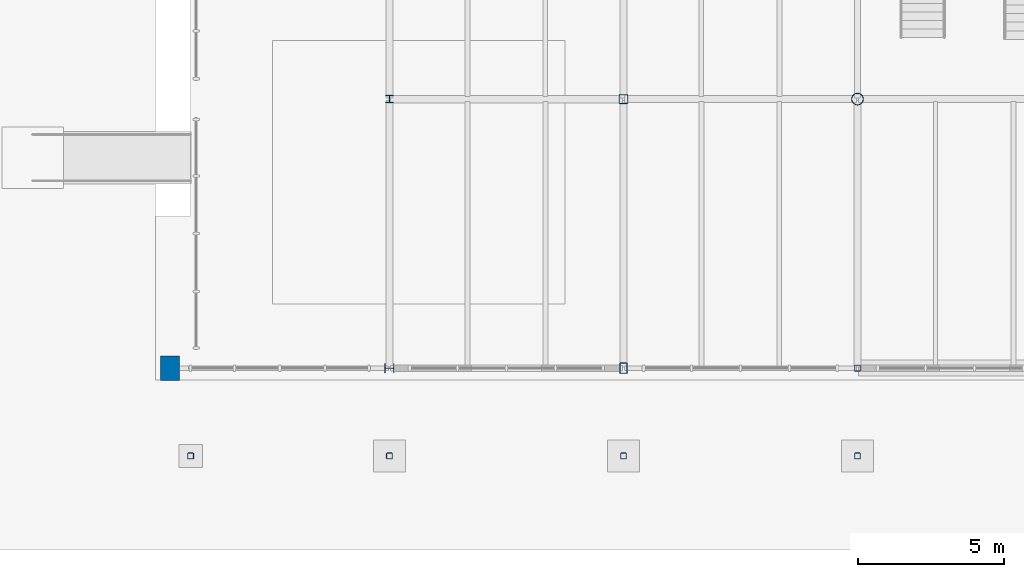
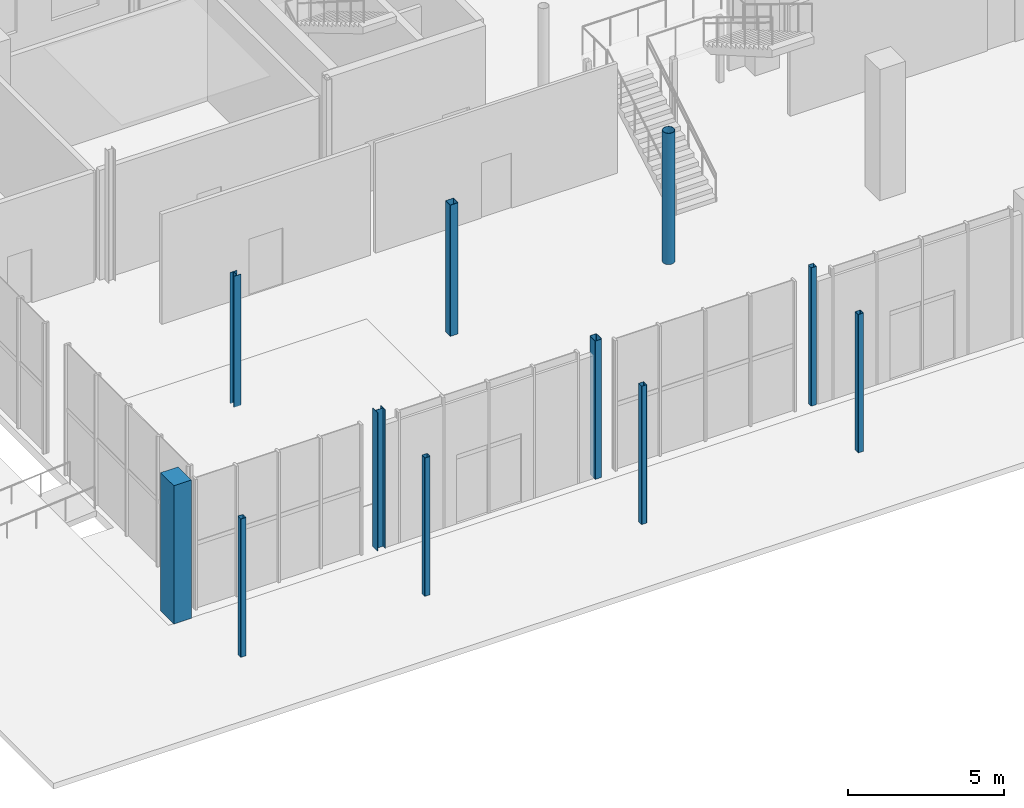
# One storey, part 5 of 87: 11 columns.
"""IFC4 building model written with IfcOpenShell, lengths in metres."""

import ifcopenshell
import ifcopenshell.guid

model = None  # the IFC model being written
_history = None  # IfcOwnerHistory: only IFC2X3 demands one
_inside = {}  # id of a spatial element -> (the spatial element, [elements in it])
_under = {}  # id of a project, library or spatial element -> (it, [spatial elements below it])
_declared = {}  # id of a project -> (the project, [libraries it declares])
_typed = {}  # id of a type object -> (the type object, [elements of that type])
_made_of = {}  # id of a material, layer set ... -> (it, [elements and type objects made of it])


def new_model(schema):
    """Start an empty IFC model of exactly this schema.

    Asked for "IFC4X3", IfcOpenShell would pick the latest addendum, in which some entities
    have other attributes; the version numbers below select the first issue.
    IFC2X3 requires an IfcOwnerHistory on every rooted entity: one is made here for all.
    """
    global model, _history
    if schema == "IFC4X3":
        model = ifcopenshell.file(schema_version=(4, 3, 0, 0))
    else:
        model = ifcopenshell.file(schema=schema)
    _inside.clear()
    _under.clear()
    _declared.clear()
    _typed.clear()
    _made_of.clear()
    _history = None
    if model.schema == "IFC2X3":
        org = make("IfcOrganization", Name="unknown")
        user = make(
            "IfcPersonAndOrganization",
            ThePerson=make("IfcPerson", FamilyName="unknown"),
            TheOrganization=org,
        )
        app = make(
            "IfcApplication",
            ApplicationDeveloper=org,
            Version="unknown",
            ApplicationFullName="unknown",
            ApplicationIdentifier="unknown",
        )
        _history = make(
            "IfcOwnerHistory",
            OwningUser=user,
            OwningApplication=app,
            ChangeAction="ADDED",
            CreationDate=0,
        )
    return model


def make(cls, **values):
    """One entity of the class cls with the attributes given. An attribute that is None is left unset."""
    return model.create_entity(
        cls, **{name: value for name, value in values.items() if value is not None}
    )


def rooted(cls, **values):
    """An entity with a GlobalId (a new one), such as an element, a storey or a relation."""
    return make(cls, GlobalId=ifcopenshell.guid.new(), OwnerHistory=_history, **values)


def si_unit(unit_type, name, prefix=None):
    """IfcSIUnit, for example si_unit("LENGTHUNIT", "METRE", prefix="MILLI")."""
    return make("IfcSIUnit", UnitType=unit_type, Prefix=prefix, Name=name)


def assignment(units):
    """IfcUnitAssignment: the units of a project."""
    return None if units is None else make("IfcUnitAssignment", Units=units)


def point(xyz):
    """IfcCartesianPoint."""
    return None if xyz is None else make("IfcCartesianPoint", Coordinates=xyz)


def direction(xyz):
    """IfcDirection."""
    return None if xyz is None else make("IfcDirection", DirectionRatios=xyz)


def frame(location, z_axis=None, x_axis=None):
    """IfcAxis2Placement3D, a coordinate frame: its origin and axes. An axis left out is left unset."""
    return make(
        "IfcAxis2Placement3D",
        Location=point(location),
        Axis=direction(z_axis),
        RefDirection=direction(x_axis),
    )


def frame_2d(location, x_axis=None):
    """IfcAxis2Placement2D, a coordinate frame in the plane: its origin and x axis."""
    return make(
        "IfcAxis2Placement2D", Location=point(location), RefDirection=direction(x_axis)
    )


def origin():
    """The frame at (0, 0, 0) with its axes left unset."""
    return frame((0.0, 0.0, 0.0))


def origin_2d():
    """The frame at (0, 0) in the plane with its x axis left unset."""
    return frame_2d((0.0, 0.0))


def place(relative_to, where):
    """IfcLocalPlacement: puts the frame where relative to a parent placement (None: the world)."""
    return make(
        "IfcLocalPlacement", PlacementRelTo=relative_to, RelativePlacement=where
    )


def context(
    kind, dimensions, precision=None, world=None, true_north=None, identifier=None
):
    """IfcGeometricRepresentationContext, for example the 3D "Model" context."""
    return make(
        "IfcGeometricRepresentationContext",
        ContextIdentifier=identifier,
        ContextType=kind,
        CoordinateSpaceDimension=dimensions,
        Precision=precision,
        WorldCoordinateSystem=world,
        TrueNorth=true_north,
    )


def subcontext(parent, identifier, kind, view, scale=None):
    """IfcGeometricRepresentationSubContext, for example "Body" below "Model"."""
    return make(
        "IfcGeometricRepresentationSubContext",
        ContextIdentifier=identifier,
        ContextType=kind,
        ParentContext=parent,
        TargetScale=scale,
        TargetView=view,
    )


def project(units=None, contexts=None):
    """IfcProject with its units and contexts."""
    return rooted(
        "IfcProject",
        Name="project",
        RepresentationContexts=contexts,
        UnitsInContext=assignment(units),
    )


def spatial(cls, under=None, at=None, **own):
    """A site, building, storey or space (cls), placed at a placement, below another one or the project."""
    s = rooted(cls, ObjectPlacement=at, **own)
    if under is not None:
        _under.setdefault(under.id(), (under, []))[1].append(s)
    return s


def profile(cls, at=None, kind="AREA", **sizes):
    """A parametric profile (cls). Its sizes go by their IFC names, for example OverallWidth=200.0."""
    return make(cls, ProfileType=kind, Position=at, **sizes)


def rectangle(**sizes):
    """IfcRectangleProfileDef."""
    return profile("IfcRectangleProfileDef", **sizes)


def hollow_rectangle(**sizes):
    """IfcRectangleHollowProfileDef."""
    return profile("IfcRectangleHollowProfileDef", **sizes)


def hollow_circle(**sizes):
    """IfcCircleHollowProfileDef."""
    return profile("IfcCircleHollowProfileDef", **sizes)


def i_section(**sizes):
    """IfcIShapeProfileDef."""
    return profile("IfcIShapeProfileDef", **sizes)


def extrude(swept, where, along, depth):
    """IfcExtrudedAreaSolid: the profile swept, set in the frame where, extruded along a direction by depth."""
    return make(
        "IfcExtrudedAreaSolid",
        SweptArea=swept,
        Position=where,
        ExtrudedDirection=direction(along),
        Depth=depth,
    )


def shape(context_of_items, identifier, shape_type, items):
    """IfcShapeRepresentation: the items that make up one representation, for example the "Body"."""
    return make(
        "IfcShapeRepresentation",
        ContextOfItems=context_of_items,
        RepresentationIdentifier=identifier,
        RepresentationType=shape_type,
        Items=items,
    )


def material(Name=None, Category=None):
    """IfcMaterial."""
    return make("IfcMaterial", Name=Name, Category=Category)


def material_profile(
    of_material, cross_section, Name=None, Category=None, Priority=None
):
    """IfcMaterialProfile: a cross section and its material."""
    return make(
        "IfcMaterialProfile",
        Name=Name,
        Material=of_material,
        Profile=cross_section,
        Priority=Priority,
        Category=Category,
    )


def profile_set(profiles, Name=None, composite=None):
    """IfcMaterialProfileSet."""
    return make(
        "IfcMaterialProfileSet",
        Name=Name,
        MaterialProfiles=profiles,
        CompositeProfile=composite,
    )


def made_of(thing, what):
    """Note that an element or type object is made of a material, layer set ...; save() writes the relation."""
    if what is not None:
        _made_of.setdefault(what.id(), (what, []))[1].append(thing)
    return thing


def type_object(cls, material=None, **own):
    """A type object (cls), such as IfcWallType, which elements share."""
    return made_of(rooted(cls, **own), material)


def element(
    cls,
    number,
    at=None,
    inside=None,
    cuts=None,
    type_object=None,
    material=None,
    context=None,
    identifier="Body",
    shape_type=None,
    held_by="IfcProductDefinitionShape",
    body=None,
    shapes=None,
    **own,
):
    """One element of the class cls, such as IfcWall. Its Tag is "e" and its number.

    at: its placement. inside: the storey or other place that contains it. cuts: it is an
    opening in that element (IfcRelVoidsElement). A single representation is given by context,
    identifier, shape_type and body (its items); several are given by shapes. held_by: the class
    of the entity that holds the representations. save() writes the other relations.
    """
    e = rooted(cls, Tag="e%d" % number, ObjectPlacement=at, **own)
    if body is not None:
        shapes = [shape(context, identifier, shape_type, body)]
    if shapes is not None:
        e.Representation = make(held_by, Representations=shapes)
    if inside is not None:
        _inside.setdefault(inside.id(), (inside, []))[1].append(e)
    if cuts is not None:
        rooted(
            "IfcRelVoidsElement", RelatingBuildingElement=cuts, RelatedOpeningElement=e
        )
    if type_object is not None:
        _typed.setdefault(type_object.id(), (type_object, []))[1].append(e)
    return made_of(e, material)


def aggregate(whole, parts):
    """IfcRelAggregates: a whole, such as a stair, and the parts it consists of."""
    return rooted("IfcRelAggregates", RelatingObject=whole, RelatedObjects=parts)


def save(model, path):
    """Write the relations noted so far, then the file.

    IfcRelAggregates (storeys below a building ...), IfcRelContainedInSpatialStructure (elements
    in a storey), IfcRelDefinesByType, IfcRelAssociatesMaterial and IfcRelDeclares: one each for
    every whole, place, type object, material and project.
    """
    for whole, parts in _under.values():
        aggregate(whole, parts)
    for where, things in _inside.values():
        rooted(
            "IfcRelContainedInSpatialStructure",
            RelatedElements=things,
            RelatingStructure=where,
        )
    for kind, things in _typed.values():
        rooted("IfcRelDefinesByType", RelatedObjects=things, RelatingType=kind)
    for what, things in _made_of.values():
        rooted("IfcRelAssociatesMaterial", RelatedObjects=things, RelatingMaterial=what)
    for by, libraries in _declared.values():
        rooted("IfcRelDeclares", RelatingContext=by, RelatedDefinitions=libraries)
    model.write(path)


model = new_model("IFC4")

# Units and contexts
model_context = context("Model", 3, precision=1e-05, world=origin(), true_north=direction((0.0, 1.0)))
body_context = subcontext(model_context, "Body", "Model", "MODEL_VIEW")
ifc_project = project(units=[si_unit("LENGTHUNIT", "METRE"), si_unit("AREAUNIT", "SQUARE_METRE"), si_unit("VOLUMEUNIT", "CUBIC_METRE"), si_unit("PLANEANGLEUNIT", "RADIAN"), si_unit("MASSUNIT", "GRAM", prefix="KILO")], contexts=[model_context])

# Site, building, storey
site_placement = place(None, origin())
site = spatial("IfcSite", under=ifc_project, at=site_placement, CompositionType="ELEMENT")
building_placement = place(site_placement, origin())
building = spatial("IfcBuilding", under=site, at=building_placement, Name="Brisemont Oceanarium", CompositionType="ELEMENT")
storey_placement = place(building_placement, origin())
storey = spatial("IfcBuildingStorey", under=building, at=storey_placement, Name="L00", CompositionType="ELEMENT", Elevation=0.0)

# Columns
ifc_material_1 = material(Name="Structural Steel ASTM A500 Gr.C", Category="steel")
ifc_material_profile_1 = material_profile(ifc_material_1, hollow_circle(Radius=0.202880859375, WallThickness=0.01171875, at=origin_2d()), Name="HSS16.000X0.500")
ifc_profile_set_1 = profile_set([ifc_material_profile_1], Name="Structural Steel ASTM A500 Gr.C")
column_type_1 = type_object("IfcColumnType", Name="COL-CHS16", PredefinedType="COLUMN", material=ifc_profile_set_1)
column_1_placement = place(storey_placement, frame((32.0, 16.0, 0.0), z_axis=(0.0, 0.0, 1.0), x_axis=(1.0, 0.0, 0.0)))
element("IfcColumn", 1, at=column_1_placement, inside=storey, type_object=column_type_1, Name="V2 L00 column (3,1)", PredefinedType="COLUMN", context=body_context, shape_type="SweptSolid", body=[
    extrude(hollow_circle(Radius=0.202880859375, WallThickness=0.01171875, at=origin_2d()), origin(), (0.0, 0.0, 1.0), 5.1201171875),
])
ifc_material_2 = material(Name="Structural Steel ASTM A500 Gr.C", Category="steel")
ifc_material_profile_2 = material_profile(ifc_material_2, hollow_rectangle(XDim=0.304931640625, YDim=0.304931640625, WallThickness=0.01171875, InnerFilletRadius=0.01220703125, OuterFilletRadius=0.02392578125, at=origin_2d()), Name="HSS12X12X1/2")
ifc_profile_set_2 = profile_set([ifc_material_profile_2], Name="Structural Steel ASTM A500 Gr.C")
column_type_2 = type_object("IfcColumnType", Name="COL-HSS12X12", PredefinedType="COLUMN", material=ifc_profile_set_2)
column_2_placement = place(storey_placement, frame((24.0, 16.0, 0.0), z_axis=(0.0, 0.0, 1.0), x_axis=(0.0, 1.0, 0.0)))
element("IfcColumn", 2, at=column_2_placement, inside=storey, type_object=column_type_2, Name="V2 L00 column (2,1)", PredefinedType="COLUMN", context=body_context, shape_type="SweptSolid", body=[
    extrude(hollow_rectangle(XDim=0.304931640625, YDim=0.304931640625, WallThickness=0.01171875, InnerFilletRadius=0.01220703125, OuterFilletRadius=0.02392578125, at=origin_2d()), origin(), (0.0, 0.0, 1.0), 5.1201171875),
])
ifc_material_3 = material(Name="Structural Steel ASTM A500 Gr.C", Category="steel")
ifc_material_profile_3 = material_profile(ifc_material_3, hollow_rectangle(XDim=0.25390625, YDim=0.35595703125, WallThickness=0.01171875, InnerFilletRadius=0.01220703125, OuterFilletRadius=0.02392578125, at=origin_2d()), Name="HSS14X10X1/2")
ifc_profile_set_3 = profile_set([ifc_material_profile_3], Name="Structural Steel ASTM A500 Gr.C")
column_type_3 = type_object("IfcColumnType", Name="COL-HSS14X10", PredefinedType="COLUMN", material=ifc_profile_set_3)
column_3_placement = place(storey_placement, frame((24.0, 6.800048828125, 0.0), z_axis=(0.0, 0.0, 1.0), x_axis=(1.0, 0.0, 0.0)))
element("IfcColumn", 3, at=column_3_placement, inside=storey, type_object=column_type_3, Name="V2 L00 column (2,0)", PredefinedType="COLUMN", context=body_context, shape_type="SweptSolid", body=[
    extrude(hollow_rectangle(XDim=0.25390625, YDim=0.35595703125, WallThickness=0.01171875, InnerFilletRadius=0.01220703125, OuterFilletRadius=0.02392578125, at=origin_2d()), origin(), (0.0, 0.0, 1.0), 5.39990234375),
])
ifc_material_4 = material(Name="Structural Steel ASTM A500 Gr.C", Category="steel")
ifc_material_profile_4 = material_profile(ifc_material_4, hollow_rectangle(XDim=0.202880859375, YDim=0.202880859375, WallThickness=0.0087890625, InnerFilletRadius=0.009033203125, OuterFilletRadius=0.01806640625, at=origin_2d()), Name="HSS8X8X3/8")
ifc_profile_set_4 = profile_set([ifc_material_profile_4], Name="Structural Steel ASTM A500 Gr.C")
column_type_4 = type_object("IfcColumnType", Name="COL-HSS8X8", PredefinedType="COLUMN", material=ifc_profile_set_4)
for number, where, z_axis, x_axis, name in (
    (4, (32.0, 6.800048828125, 0.0), (0.0, 0.0, 1.0), (0.0, 1.0, 0.0), "V2 L00 column (3,0)"),
    (5, (9.199951171875, 3.800048828125, 0.0), (0.0, 0.0, 1.0), (1.0, 0.0, 0.0), "V2 louvre colonnade base post 1"),
    (6, (16.0, 3.800048828125, 0.0), (0.0, 0.0, 1.0), (1.0, 0.0, 0.0), "V2 louvre colonnade base post 2"),
    (7, (24.0, 3.800048828125, 0.0), (0.0, 0.0, 1.0), (1.0, 0.0, 0.0), "V2 louvre colonnade base post 3"),
    (8, (32.0, 3.800048828125, 0.0), (0.0, 0.0, 1.0), (1.0, 0.0, 0.0), "V2 louvre colonnade base post 4"),
):
    element("IfcColumn", number, at=place(storey_placement, frame(where, z_axis=z_axis, x_axis=x_axis)), inside=storey, type_object=column_type_4, Name=name, PredefinedType="COLUMN", context=body_context, shape_type="SweptSolid", body=[
        extrude(hollow_rectangle(XDim=0.202880859375, YDim=0.202880859375, WallThickness=0.0087890625, InnerFilletRadius=0.009033203125, OuterFilletRadius=0.01806640625, at=origin_2d()), origin(), (0.0, 0.0, 1.0), 5.39990234375),
    ])
ifc_material_5 = material(Name="Structural Steel ASTM A992 Gr.50", Category="steel")
ifc_material_profile_5 = material_profile(ifc_material_5, i_section(OverallWidth=0.256103515625, OverallDepth=0.260009765625, WebThickness=0.0107421875, FlangeThickness=0.017333984375, FilletRadius=0.010986328125, at=origin_2d()), Name="W10X60")
ifc_profile_set_5 = profile_set([ifc_material_profile_5], Name="Structural Steel ASTM A992 Gr.50")
column_type_5 = type_object("IfcColumnType", Name="COL-W10X60", PredefinedType="COLUMN", material=ifc_profile_set_5)
column_4_placement = place(storey_placement, frame((16.0, 16.0, 0.0), z_axis=(0.0, 0.0, 1.0), x_axis=(1.0, 0.0, 0.0)))
element("IfcColumn", 9, at=column_4_placement, inside=storey, type_object=column_type_5, Name="V2 L00 column (1,1)", PredefinedType="COLUMN", context=body_context, shape_type="SweptSolid", body=[
    extrude(i_section(OverallWidth=0.256103515625, OverallDepth=0.260009765625, WebThickness=0.0107421875, FlangeThickness=0.017333984375, FilletRadius=0.010986328125, at=origin_2d()), origin(), (0.0, 0.0, 1.0), 5.1201171875),
])
ifc_material_6 = material(Name="Structural Steel ASTM A992 Gr.50", Category="steel")
ifc_material_profile_6 = material_profile(ifc_material_6, i_section(OverallWidth=0.304931640625, OverallDepth=0.306884765625, WebThickness=0.010009765625, FlangeThickness=0.015380859375, FilletRadius=0.012939453125, at=origin_2d()), Name="W12X65")
ifc_profile_set_6 = profile_set([ifc_material_profile_6], Name="Structural Steel ASTM A992 Gr.50")
column_type_6 = type_object("IfcColumnType", Name="COL-W12X65", PredefinedType="COLUMN", material=ifc_profile_set_6)
column_5_placement = place(storey_placement, frame((16.0, 6.800048828125, 0.0), z_axis=(0.0, 0.0, 1.0), x_axis=(0.0, 1.0, 0.0)))
element("IfcColumn", 10, at=column_5_placement, inside=storey, type_object=column_type_6, Name="V2 L00 column (1,0)", PredefinedType="COLUMN", context=body_context, shape_type="SweptSolid", body=[
    extrude(i_section(OverallWidth=0.304931640625, OverallDepth=0.306884765625, WebThickness=0.010009765625, FlangeThickness=0.015380859375, FilletRadius=0.012939453125, at=origin_2d()), origin(), (0.0, 0.0, 1.0), 5.39990234375),
])
ifc_material_7 = material(Name="Precast Concrete C40/50", Category="concrete")
ifc_material_profile_7 = material_profile(ifc_material_7, rectangle(XDim=0.64990234375, YDim=0.85009765625, at=origin_2d()), Name="RC-PIL-650X850")
ifc_profile_set_7 = profile_set([ifc_material_profile_7], Name="Precast Concrete C40/50")
column_type_7 = type_object("IfcColumnType", Name="PIL-RC650X850", PredefinedType="PILASTER", material=ifc_profile_set_7)
column_6_placement = place(storey_placement, frame((8.5, 6.800048828125, 0.0), z_axis=(0.0, 0.0, 1.0), x_axis=(1.0, 0.0, 0.0)))
element("IfcColumn", 11, at=column_6_placement, inside=storey, type_object=column_type_7, Name="V2 L00 column (0,0)", PredefinedType="PILASTER", context=body_context, shape_type="SweptSolid", body=[
    extrude(rectangle(XDim=0.64990234375, YDim=0.85009765625, at=origin_2d()), origin(), (0.0, 0.0, 1.0), 5.39990234375),
])

save(model, "model.ifc")
